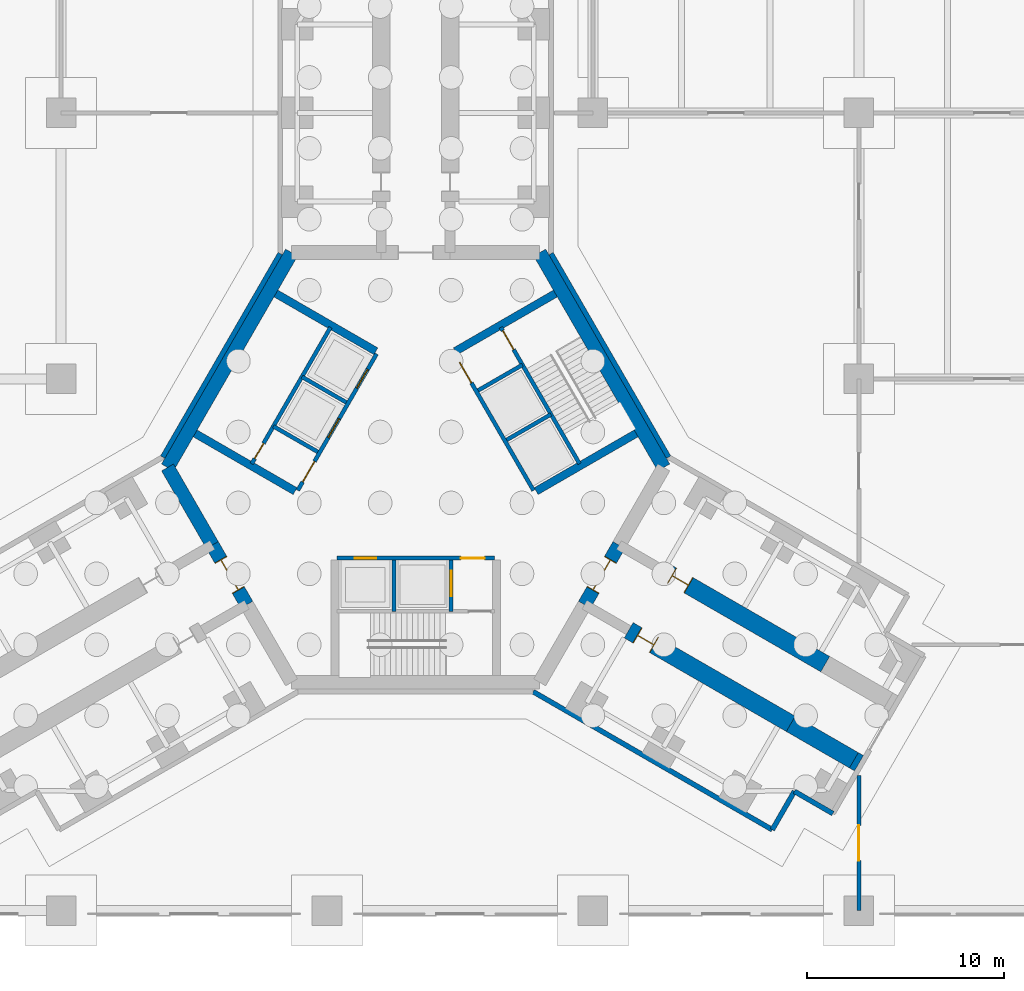
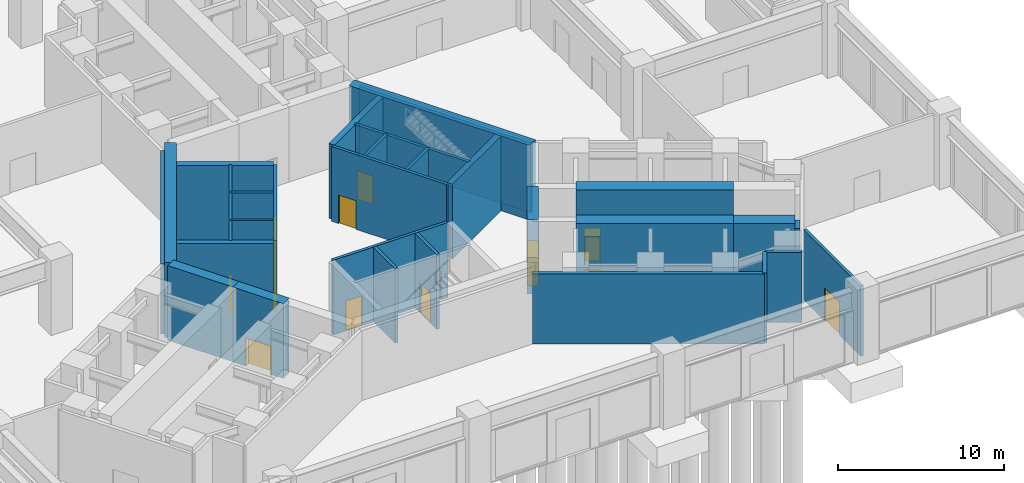
# One storey, part 10 of 18: 30 walls, 14 doors, 14 openings.
"""IFC4 building model written with IfcOpenShell, lengths in metres."""

from ifc_helpers import new_model, si_unit, direction, frame, frame_2d, origin, place, context, subcontext, project, spatial, rectangle, extrude, material, layer, layer_set, type_object, element, fill, save


model = new_model("IFC4")

# Units and contexts
model_context = context("Model", 3, precision=1e-05, world=origin(), true_north=direction((0.0, 1.0)))
body_context = subcontext(model_context, "Body", "Model", "MODEL_VIEW")
ifc_project = project(units=[si_unit("LENGTHUNIT", "METRE"), si_unit("AREAUNIT", "SQUARE_METRE"), si_unit("VOLUMEUNIT", "CUBIC_METRE"), si_unit("PLANEANGLEUNIT", "RADIAN"), si_unit("MASSUNIT", "GRAM", prefix="KILO")], contexts=[model_context])

# Site, building, storey
site_placement = place(None, origin())
site = spatial("IfcSite", under=ifc_project, at=site_placement, CompositionType="ELEMENT")
building_placement = place(site_placement, origin())
building = spatial("IfcBuilding", under=site, at=building_placement, Name="Upepo Twin Towers", CompositionType="ELEMENT")
storey_placement = place(building_placement, origin())
storey = spatial("IfcBuildingStorey", under=building, at=storey_placement, Name="L00", CompositionType="ELEMENT", Elevation=0.0)

# Wall
ifc_material_1 = material(Name="Dense concrete blockwork", Category="masonry")
ifc_layer_1 = layer(ifc_material_1, 0.89990234375)
ifc_layer_set_1 = layer_set([ifc_layer_1], Name="Buttress closer 900, blockwork with fire-stopping to the curtain wall")
wall_type_1 = type_object("IfcWallType", Name="Buttress closer 900, blockwork with fire-stopping to the curtain wall", PredefinedType="PARTITIONING", material=ifc_layer_set_1)
wall_1_placement = place(storey_placement, frame((80.747802734375, -32.865478515625, 0.0), z_axis=(0.0, 0.0, 1.0), x_axis=(0.865778900179, -0.500426713919, 0.0)))
element("IfcWall", 1, at=wall_1_placement, inside=storey, type_object=wall_type_1, Name="T2 L00 wing C buttress closer R", PredefinedType="PARTITIONING", context=body_context, shape_type="SweptSolid", body=[
    extrude(rectangle(XDim=0.300048828125, YDim=0.89990234375, at=frame_2d((0.14990234375, 0.0))), origin(), (0.0, 0.0, 1.0), 5.14990234375),
])

# Wall, opening, door
ifc_material_2 = material(Name="Concrete C60/75", Category="concrete")
ifc_layer_2 = layer(ifc_material_2, 0.89990234375)
ifc_layer_set_2 = layer_set([ifc_layer_2], Name="Concrete C60/75")
wall_type_2 = type_object("IfcWallType", Name="Buttress wall 900 RC", PredefinedType="SHEAR", material=ifc_layer_set_2)
wall_2_placement = place(storey_placement, frame((71.06640625, -23.234375, 0.0), z_axis=(0.0, 0.0, 1.0), x_axis=(0.86602681393, -0.499997557548, 0.0)))
wall_2 = element("IfcWall", 2, at=wall_2_placement, inside=storey, type_object=wall_type_2, Name="T2 wing C buttress wall L part 2", PredefinedType="SHEAR", context=body_context, shape_type="SweptSolid", body=[
    extrude(rectangle(XDim=9.5, YDim=0.89990234375, at=frame_2d((4.75, 0.0))), origin(), (0.0, 0.0, 1.0), 5.5),
])
opening_1_placement = place(wall_2_placement, frame((0.5, 0.0, 0.0)))
opening_1 = element("IfcOpeningElement", 3, at=opening_1_placement, cuts=wall_2, Name="Opening D1", PredefinedType="OPENING", context=body_context, shape_type="SweptSolid", body=[
    extrude(rectangle(XDim=1.0, YDim=2.10009765625, at=frame_2d((0.5, 1.050048828125))), frame((0.0, 0.4599609375, 0.0), z_axis=(0.0, -1.0, 0.0), x_axis=(1.0, 0.0, 0.0)), (0.0, 0.0, 1.0), 0.919921875),
])
ifc_material_3 = material(Name="Timber doorset", Category="wood")
door_type_1 = type_object("IfcDoorType", Name="Room door 1000 FD30", OperationType="SINGLE_SWING_LEFT", PredefinedType="DOOR", material=ifc_material_3)
door_1_placement = place(opening_1_placement, origin())
door_1 = element("IfcDoor", 4, at=door_1_placement, inside=storey, type_object=door_type_1, Name="T2 L00 student advice centre door", OperationType="SINGLE_SWING_LEFT", OverallHeight=2.10009765625, OverallWidth=1.0, PredefinedType="DOOR", context=body_context, shape_type="SweptSolid", body=[
    extrude(rectangle(XDim=0.92, YDim=2.06009765625, at=frame_2d((0.5, 1.030029296875))), frame((0.0, 0.02490234375, 0.0), z_axis=(0.0, -1.0, 0.0), x_axis=(1.0, 0.0, 0.0)), (0.0, 0.0, 1.0), 0.050048828125),
    extrude(rectangle(XDim=0.04, YDim=2.10009765625, at=frame_2d((0.02001953125, 1.050048828125))), frame((0.0, 0.44970703125, 0.0), z_axis=(0.0, -1.0, 0.0), x_axis=(1.0, 0.0, 0.0)), (0.0, 0.0, 1.0), 0.8994140625),
    extrude(rectangle(XDim=0.04, YDim=2.10009765625, at=frame_2d((0.97998046875, 1.050048828125))), frame((0.0, 0.44970703125, 0.0), z_axis=(0.0, -1.0, 0.0), x_axis=(1.0, 0.0, 0.0)), (0.0, 0.0, 1.0), 0.8994140625),
    extrude(rectangle(XDim=0.92, YDim=0.04, at=frame_2d((0.5, 2.080078125))), frame((0.0, 0.44970703125, 0.0), z_axis=(0.0, -1.0, 0.0), x_axis=(1.0, 0.0, 0.0)), (0.0, 0.0, 1.0), 0.8994140625),
])
fill(opening_1, door_1)

wall_3_placement = place(storey_placement, frame((69.31640625, -26.265625, 0.0), z_axis=(0.0, 0.0, 1.0), x_axis=(0.86602681393, -0.499997557548, 0.0)))
wall_3 = element("IfcWall", 5, at=wall_3_placement, inside=storey, type_object=wall_type_2, Name="T2 wing C buttress wall R part 2", PredefinedType="SHEAR", context=body_context, shape_type="SweptSolid", body=[
    extrude(rectangle(XDim=9.5, YDim=0.89990234375, at=frame_2d((4.75, 0.0))), origin(), (0.0, 0.0, 1.0), 5.5),
])
opening_2_placement = place(wall_3_placement, frame((0.5, 0.0, 0.0)))
opening_2 = element("IfcOpeningElement", 6, at=opening_2_placement, cuts=wall_3, Name="Opening D1", PredefinedType="OPENING", context=body_context, shape_type="SweptSolid", body=[
    extrude(rectangle(XDim=1.0, YDim=2.10009765625, at=frame_2d((0.5, 1.050048828125))), frame((0.0, 0.4599609375, 0.0), z_axis=(0.0, -1.0, 0.0), x_axis=(1.0, 0.0, 0.0)), (0.0, 0.0, 1.0), 0.919921875),
])
door_2_placement = place(opening_2_placement, origin())
door_2 = element("IfcDoor", 7, at=door_2_placement, inside=storey, type_object=door_type_1, Name="T2 L00 student advice centre door", OperationType="SINGLE_SWING_LEFT", OverallHeight=2.10009765625, OverallWidth=1.0, PredefinedType="DOOR", context=body_context, shape_type="SweptSolid", body=[
    extrude(rectangle(XDim=0.92, YDim=2.06009765625, at=frame_2d((0.5, 1.030029296875))), frame((0.0, 0.02490234375, 0.0), z_axis=(0.0, -1.0, 0.0), x_axis=(1.0, 0.0, 0.0)), (0.0, 0.0, 1.0), 0.050048828125),
    extrude(rectangle(XDim=0.04, YDim=2.10009765625, at=frame_2d((0.02001953125, 1.050048828125))), frame((0.0, 0.44970703125, 0.0), z_axis=(0.0, -1.0, 0.0), x_axis=(1.0, 0.0, 0.0)), (0.0, 0.0, 1.0), 0.8994140625),
    extrude(rectangle(XDim=0.04, YDim=2.10009765625, at=frame_2d((0.97998046875, 1.050048828125))), frame((0.0, 0.44970703125, 0.0), z_axis=(0.0, -1.0, 0.0), x_axis=(1.0, 0.0, 0.0)), (0.0, 0.0, 1.0), 0.8994140625),
    extrude(rectangle(XDim=0.92, YDim=0.04, at=frame_2d((0.5, 2.080078125))), frame((0.0, 0.44970703125, 0.0), z_axis=(0.0, -1.0, 0.0), x_axis=(1.0, 0.0, 0.0)), (0.0, 0.0, 1.0), 0.8994140625),
])
fill(opening_2, door_2)

# Walls
wall_4_placement = place(storey_placement, frame((77.543701171875, -31.015625, 0.0), z_axis=(0.0, 0.0, 1.0), x_axis=(0.866029545028, -0.499992827086, 0.0)))
element("IfcWall", 8, at=wall_4_placement, inside=storey, type_object=wall_type_2, Name="T2 wing C buttress wall R part 3", PredefinedType="SHEAR", context=body_context, shape_type="SweptSolid", body=[
    extrude(rectangle(XDim=3.69970703125, YDim=0.89990234375, at=frame_2d((1.849853515625, 0.0))), origin(), (0.0, 0.0, 1.0), 5.5),
])
ifc_material_4 = material(Name="Concrete C60/75", Category="concrete")
ifc_layer_3 = layer(ifc_material_4, 0.699951171875)
ifc_layer_set_3 = layer_set([ifc_layer_3], Name="Concrete C60/75")
wall_type_3 = type_object("IfcWallType", Name="Core wall 700 RC", PredefinedType="SHEAR", material=ifc_layer_set_3)
wall_5_placement = place(storey_placement, frame((52.2021484375, -7.091552734375, 0.0), z_axis=(0.0, 0.0, 1.0), x_axis=(-0.500005998175, -0.866021940709, 0.0)))
element("IfcWall", 9, at=wall_5_placement, inside=storey, type_object=wall_type_3, Name="T2 core wall 060", PredefinedType="SHEAR", context=body_context, shape_type="SweptSolid", body=[
    extrude(rectangle(XDim=12.595947265625, YDim=0.699951171875, at=frame_2d((6.2978515625, 0.0))), origin(), (0.0, 0.0, 1.0), 5.5),
])
wall_6_placement = place(storey_placement, frame((45.904052734375, -18.0, 0.0), z_axis=(0.0, 0.0, 1.0), x_axis=(0.500024481964, -0.866011268655, 0.0)))
element("IfcWall", 10, at=wall_6_placement, inside=storey, type_object=wall_type_3, Name="T2 core wall 120 R", PredefinedType="SHEAR", context=body_context, shape_type="SweptSolid", body=[
    extrude(rectangle(XDim=4.548095703125, YDim=0.699951171875, at=frame_2d((2.27392578125, 0.0))), origin(), (0.0, 0.0, 1.0), 5.5),
])

# Wall, opening, door
wall_7_placement = place(storey_placement, frame((48.17822265625, -21.938720703125, 0.0), z_axis=(0.0, 0.0, 1.0), x_axis=(0.500010275428, -0.866019471182, 0.0)))
wall_7 = element("IfcWall", 11, at=wall_7_placement, inside=storey, type_object=wall_type_3, Name="T2 core wall 120", PredefinedType="SHEAR", context=body_context, shape_type="SweptSolid", body=[
    extrude(rectangle(XDim=3.5, YDim=0.699951171875, at=frame_2d((1.75, 0.0))), origin(), (0.0, 0.0, 1.0), 5.5),
])
opening_3_placement = place(wall_7_placement, frame((0.85009765625, 0.0, 0.0)))
opening_3 = element("IfcOpeningElement", 12, at=opening_3_placement, cuts=wall_7, Name="Opening D2", PredefinedType="OPENING", context=body_context, shape_type="SweptSolid", body=[
    extrude(rectangle(XDim=1.800048828125, YDim=2.10009765625, at=frame_2d((0.89990234375, 1.050048828125))), frame((0.0, 0.35986328125, 0.0), z_axis=(0.0, -1.0, 0.0), x_axis=(1.0, 0.0, 0.0)), (0.0, 0.0, 1.0), 0.719970703125),
])
ifc_material_5 = material(Name="Timber doorset", Category="wood")
door_type_2 = type_object("IfcDoorType", Name="Corridor double door 1800 FD60", OperationType="DOUBLE_DOOR_DOUBLE_SWING", PredefinedType="DOOR", material=ifc_material_5)
door_3_placement = place(opening_3_placement, origin())
door_3 = element("IfcDoor", 13, at=door_3_placement, inside=storey, type_object=door_type_2, Name="T2 L00 wing B corridor door", OperationType="DOUBLE_DOOR_DOUBLE_SWING", OverallHeight=2.10009765625, OverallWidth=1.800048828125, PredefinedType="DOOR", context=body_context, shape_type="SweptSolid", body=[
    extrude(rectangle(XDim=1.720048828125, YDim=2.06009765625, at=frame_2d((0.89990234375, 1.030029296875))), frame((0.0, 0.02490234375, 0.0), z_axis=(0.0, -1.0, 0.0), x_axis=(1.0, 0.0, 0.0)), (0.0, 0.0, 1.0), 0.050048828125),
    extrude(rectangle(XDim=0.04, YDim=2.10009765625, at=frame_2d((0.02001953125, 1.050048828125))), frame((0.0, 0.349609375, 0.0), z_axis=(0.0, -1.0, 0.0), x_axis=(1.0, 0.0, 0.0)), (0.0, 0.0, 1.0), 0.699462890625),
    extrude(rectangle(XDim=0.04, YDim=2.10009765625, at=frame_2d((1.780029296875, 1.050048828125))), frame((0.0, 0.349609375, 0.0), z_axis=(0.0, -1.0, 0.0), x_axis=(1.0, 0.0, 0.0)), (0.0, 0.0, 1.0), 0.699462890625),
    extrude(rectangle(XDim=1.720048828125, YDim=0.04, at=frame_2d((0.89990234375, 2.080078125))), frame((0.0, 0.349609375, 0.0), z_axis=(0.0, -1.0, 0.0), x_axis=(1.0, 0.0, 0.0)), (0.0, 0.0, 1.0), 0.699462890625),
])
fill(opening_3, door_3)

wall_8_placement = place(storey_placement, frame((67.07177734375, -24.9697265625, 0.0), z_axis=(0.0, 0.0, 1.0), x_axis=(0.500010275428, 0.866019471182, 0.0)))
wall_8 = element("IfcWall", 14, at=wall_8_placement, inside=storey, type_object=wall_type_3, Name="T2 core wall 240", PredefinedType="SHEAR", context=body_context, shape_type="SweptSolid", body=[
    extrude(rectangle(XDim=3.5, YDim=0.699951171875, at=frame_2d((1.75, 0.0))), origin(), (0.0, 0.0, 1.0), 5.5),
])
opening_4_placement = place(wall_8_placement, frame((0.85009765625, 0.0, 0.0)))
opening_4 = element("IfcOpeningElement", 15, at=opening_4_placement, cuts=wall_8, Name="Opening D2", PredefinedType="OPENING", context=body_context, shape_type="SweptSolid", body=[
    extrude(rectangle(XDim=1.800048828125, YDim=2.10009765625, at=frame_2d((0.89990234375, 1.050048828125))), frame((0.0, 0.35986328125, 0.0), z_axis=(0.0, -1.0, 0.0), x_axis=(1.0, 0.0, 0.0)), (0.0, 0.0, 1.0), 0.719970703125),
])
door_4_placement = place(opening_4_placement, origin())
door_4 = element("IfcDoor", 16, at=door_4_placement, inside=storey, type_object=door_type_2, Name="T2 L00 wing C corridor door", OperationType="DOUBLE_DOOR_DOUBLE_SWING", OverallHeight=2.10009765625, OverallWidth=1.800048828125, PredefinedType="DOOR", context=body_context, shape_type="SweptSolid", body=[
    extrude(rectangle(XDim=1.720048828125, YDim=2.06009765625, at=frame_2d((0.89990234375, 1.030029296875))), frame((0.0, 0.02490234375, 0.0), z_axis=(0.0, -1.0, 0.0), x_axis=(1.0, 0.0, 0.0)), (0.0, 0.0, 1.0), 0.050048828125),
    extrude(rectangle(XDim=0.04, YDim=2.10009765625, at=frame_2d((0.02001953125, 1.050048828125))), frame((0.0, 0.349609375, 0.0), z_axis=(0.0, -1.0, 0.0), x_axis=(1.0, 0.0, 0.0)), (0.0, 0.0, 1.0), 0.699462890625),
    extrude(rectangle(XDim=0.04, YDim=2.10009765625, at=frame_2d((1.780029296875, 1.050048828125))), frame((0.0, 0.349609375, 0.0), z_axis=(0.0, -1.0, 0.0), x_axis=(1.0, 0.0, 0.0)), (0.0, 0.0, 1.0), 0.699462890625),
    extrude(rectangle(XDim=1.720048828125, YDim=0.04, at=frame_2d((0.89990234375, 2.080078125))), frame((0.0, 0.349609375, 0.0), z_axis=(0.0, -1.0, 0.0), x_axis=(1.0, 0.0, 0.0)), (0.0, 0.0, 1.0), 0.699462890625),
])
fill(opening_4, door_4)

# Wall
wall_9_placement = place(storey_placement, frame((71.095947265625, -18.0, 0.0), z_axis=(0.0, 0.0, 1.0), x_axis=(-0.500005998175, 0.866021940709, 0.0)))
element("IfcWall", 17, at=wall_9_placement, inside=storey, type_object=wall_type_3, Name="T2 core wall 300", PredefinedType="SHEAR", context=body_context, shape_type="SweptSolid", body=[
    extrude(rectangle(XDim=12.595947265625, YDim=0.699951171875, at=frame_2d((6.2978515625, 0.0))), origin(), (0.0, 0.0, 1.0), 5.5),
])

# Wall, opening, door
ifc_material_6 = material(Name="Concrete blockwork", Category="masonry")
ifc_layer_4 = layer(ifc_material_6, 0.199951171875)
ifc_layer_set_4 = layer_set([ifc_layer_4], Name="Podium partition 200 blockwork")
wall_type_4 = type_object("IfcWallType", Name="Podium partition 200 blockwork", PredefinedType="PARTITIONING", material=ifc_layer_set_4)
wall_10_placement = place(storey_placement, frame((81.0, -40.5, 0.0), z_axis=(0.0, 0.0, 1.0), x_axis=(0.0, 1.0, 0.0)))
wall_10 = element("IfcWall", 18, at=wall_10_placement, inside=storey, type_object=wall_type_4, Name="L00 podium wall X80", PredefinedType="PARTITIONING", context=body_context, shape_type="SweptSolid", body=[
    extrude(rectangle(XDim=6.87109375, YDim=0.199951171875, at=frame_2d((3.435546875, 0.0))), origin(), (0.0, 0.0, 1.0), 5.14990234375),
])
opening_5_placement = place(wall_10_placement, frame((2.53564453125, 0.0, 0.0)))
opening_5 = element("IfcOpeningElement", 19, at=opening_5_placement, cuts=wall_10, Name="Opening D10", PredefinedType="OPENING", context=body_context, shape_type="SweptSolid", body=[
    extrude(rectangle(XDim=1.800048828125, YDim=2.39990234375, at=frame_2d((0.89990234375, 1.199951171875))), frame((0.0, 0.10986328125, 0.0), z_axis=(0.0, -1.0, 0.0), x_axis=(1.0, 0.0, 0.0)), (0.0, 0.0, 1.0), 0.219970703125),
])
ifc_material_7 = material(Name="Timber doorset", Category="wood")
door_type_3 = type_object("IfcDoorType", Name="Podium double door 1800", OperationType="DOUBLE_DOOR_DOUBLE_SWING", PredefinedType="DOOR", material=ifc_material_7)
door_5_placement = place(opening_5_placement, origin())
door_5 = element("IfcDoor", 20, at=door_5_placement, inside=storey, type_object=door_type_3, Name="L00 students' union cafe-electrical substation door", OperationType="DOUBLE_DOOR_DOUBLE_SWING", OverallHeight=2.39990234375, OverallWidth=1.800048828125, PredefinedType="DOOR", context=body_context, shape_type="SweptSolid", body=[
    extrude(rectangle(XDim=1.800048828125, YDim=2.39990234375, at=frame_2d((0.89990234375, 1.199951171875))), frame((0.0, 0.02490234375, 0.0), z_axis=(0.0, -1.0, 0.0), x_axis=(1.0, 0.0, 0.0)), (0.0, 0.0, 1.0), 0.050048828125),
])
fill(opening_5, door_5)

# Wall, openings, doors
ifc_material_8 = material(Name="Concrete C40/50", Category="concrete")
ifc_layer_5 = layer(ifc_material_8, 0.199951171875)
ifc_layer_set_5 = layer_set([ifc_layer_5], Name="Concrete C40/50")
wall_type_5 = type_object("IfcWallType", Name="Shaft wall 200 RC", PredefinedType="SHEAR", material=ifc_layer_set_5)
wall_11_placement = place(storey_placement, frame((56.516357421875, -12.23583984375, 0.0), z_axis=(0.0, 0.0, 1.0), x_axis=(-0.49999894854, -0.866026010844, 0.0)))
wall_11 = element("IfcWall", 21, at=wall_11_placement, inside=storey, type_object=wall_type_5, Name="T2 core W60 front wall", PredefinedType="SHEAR", context=body_context, shape_type="SweptSolid", body=[
    extrude(rectangle(XDim=8.0, YDim=0.199951171875, at=frame_2d((4.0, 0.0))), origin(), (0.0, 0.0, 1.0), 5.5),
])
opening_6_placement = place(wall_11_placement, frame((6.300048828125, 0.0, 0.0)))
opening_6 = element("IfcOpeningElement", 22, at=opening_6_placement, cuts=wall_11, Name="Opening D4", PredefinedType="OPENING", context=body_context, shape_type="SweptSolid", body=[
    extrude(rectangle(XDim=1.199951171875, YDim=2.10009765625, at=frame_2d((0.60009765625, 1.050048828125))), frame((0.0, 0.10986328125, 0.0), z_axis=(0.0, -1.0, 0.0), x_axis=(1.0, 0.0, 0.0)), (0.0, 0.0, 1.0), 0.219970703125),
])
opening_7_placement = place(wall_11_placement, frame((0.89990234375, 0.0, 0.0)))
opening_7 = element("IfcOpeningElement", 23, at=opening_7_placement, cuts=wall_11, Name="Opening LD1", PredefinedType="OPENING", context=body_context, shape_type="SweptSolid", body=[
    extrude(rectangle(XDim=1.10009765625, YDim=2.199951171875, at=frame_2d((0.550048828125, 1.10009765625))), frame((0.0, 0.10986328125, 0.0), z_axis=(0.0, -1.0, 0.0), x_axis=(1.0, 0.0, 0.0)), (0.0, 0.0, 1.0), 0.219970703125),
])
opening_8_placement = place(wall_11_placement, frame((3.800048828125, 0.0, 0.0)))
opening_8 = element("IfcOpeningElement", 24, at=opening_8_placement, cuts=wall_11, Name="Opening LD1", PredefinedType="OPENING", context=body_context, shape_type="SweptSolid", body=[
    extrude(rectangle(XDim=1.10009765625, YDim=2.199951171875, at=frame_2d((0.550048828125, 1.10009765625))), frame((0.0, 0.10986328125, 0.0), z_axis=(0.0, -1.0, 0.0), x_axis=(1.0, 0.0, 0.0)), (0.0, 0.0, 1.0), 0.219970703125),
])
ifc_material_9 = material(Name="Steel doorset", Category="steel")
door_type_4 = type_object("IfcDoorType", Name="Lift landing door 1100", OperationType="DOUBLE_DOOR_SLIDING", PredefinedType="DOOR", material=ifc_material_9)
door_6_placement = place(opening_7_placement, origin())
door_6 = element("IfcDoor", 25, at=door_6_placement, inside=storey, type_object=door_type_4, Name="T2 L00 lift EX1 landing door", OperationType="DOUBLE_DOOR_SLIDING", OverallHeight=2.199951171875, OverallWidth=1.10009765625, PredefinedType="DOOR", context=body_context, shape_type="SweptSolid", body=[
    extrude(rectangle(XDim=1.10009765625, YDim=2.199951171875, at=frame_2d((0.550048828125, 1.10009765625))), frame((0.0, 0.02490234375, 0.0), z_axis=(0.0, -1.0, 0.0), x_axis=(1.0, 0.0, 0.0)), (0.0, 0.0, 1.0), 0.050048828125),
])
fill(opening_7, door_6)
door_7_placement = place(opening_8_placement, origin())
door_7 = element("IfcDoor", 26, at=door_7_placement, inside=storey, type_object=door_type_4, Name="T2 L00 lift EX2 landing door", OperationType="DOUBLE_DOOR_SLIDING", OverallHeight=2.199951171875, OverallWidth=1.10009765625, PredefinedType="DOOR", context=body_context, shape_type="SweptSolid", body=[
    extrude(rectangle(XDim=1.10009765625, YDim=2.199951171875, at=frame_2d((0.550048828125, 1.10009765625))), frame((0.0, 0.02490234375, 0.0), z_axis=(0.0, -1.0, 0.0), x_axis=(1.0, 0.0, 0.0)), (0.0, 0.0, 1.0), 0.050048828125),
])
fill(opening_8, door_7)
ifc_material_10 = material(Name="Timber doorset", Category="wood")
door_type_5 = type_object("IfcDoorType", Name="Lobby door 1200 FD60", OperationType="SINGLE_SWING_LEFT", PredefinedType="DOOR", material=ifc_material_10)
door_8_placement = place(opening_6_placement, origin())
door_8 = element("IfcDoor", 27, at=door_8_placement, inside=storey, type_object=door_type_5, Name="T2 L00 W60 lobby door", OperationType="SINGLE_SWING_RIGHT", OverallHeight=2.10009765625, OverallWidth=1.199951171875, PredefinedType="DOOR", context=body_context, shape_type="SweptSolid", body=[
    extrude(rectangle(XDim=1.199951171875, YDim=2.10009765625, at=frame_2d((0.60009765625, 1.050048828125))), frame((0.0, 0.02490234375, 0.0), z_axis=(0.0, -1.0, 0.0), x_axis=(1.0, 0.0, 0.0)), (0.0, 0.0, 1.0), 0.050048828125),
])
fill(opening_6, door_8)

# Walls
for number, where, z_axis, x_axis, name in (
    (28, (54.979736328125, -14.697265625, 0.0), (0.0, 0.0, 1.0), (-0.866062058628, 0.499936506574, 0.0), "T2 core W60 shaft divider"),
    (29, (53.52978515625, -17.208740234375, 0.0), (0.0, 0.0, 1.0), (-0.866062058628, 0.499936506574, 0.0), "T2 core W60 lobby wall"),
):
    element("IfcWall", number, at=place(storey_placement, frame(where, z_axis=z_axis, x_axis=x_axis)), inside=storey, type_object=wall_type_5, Name=name, PredefinedType="SHEAR", context=body_context, shape_type="SweptSolid", body=[
        extrude(rectangle(XDim=2.599853515625, YDim=0.199951171875, at=frame_2d((1.2998046875, 0.0))), origin(), (0.0, 0.0, 1.0), 5.5),
    ])

# Wall, opening, door
wall_12_placement = place(storey_placement, frame((54.177978515625, -10.885986328125, 0.0), z_axis=(0.0, 0.0, 1.0), x_axis=(-0.49999894854, -0.866026010844, 0.0)))
wall_12 = element("IfcWall", 30, at=wall_12_placement, inside=storey, type_object=wall_type_5, Name="T2 core W60 stair wall", PredefinedType="SHEAR", context=body_context, shape_type="SweptSolid", body=[
    extrude(rectangle(XDim=8.0, YDim=0.199951171875, at=frame_2d((4.0, 0.0))), origin(), (0.0, 0.0, 1.0), 5.5),
])
opening_9_placement = place(wall_12_placement, frame((6.800048828125, 0.0, 0.0)))
opening_9 = element("IfcOpeningElement", 31, at=opening_9_placement, cuts=wall_12, Name="Opening D9", PredefinedType="OPENING", context=body_context, shape_type="SweptSolid", body=[
    extrude(rectangle(XDim=0.89990234375, YDim=2.10009765625, at=frame_2d((0.449951171875, 1.050048828125))), frame((0.0, 0.10986328125, 0.0), z_axis=(0.0, -1.0, 0.0), x_axis=(1.0, 0.0, 0.0)), (0.0, 0.0, 1.0), 0.219970703125),
])
ifc_material_11 = material(Name="Timber doorset", Category="wood")
door_type_6 = type_object("IfcDoorType", Name="Riser door 900 FD60", OperationType="SINGLE_SWING_LEFT", PredefinedType="DOOR", material=ifc_material_11)
door_9_placement = place(opening_9_placement, origin())
door_9 = element("IfcDoor", 32, at=door_9_placement, inside=storey, type_object=door_type_6, Name="T2 L00 riser door", OperationType="SINGLE_SWING_RIGHT", OverallHeight=2.10009765625, OverallWidth=0.89990234375, PredefinedType="DOOR", context=body_context, shape_type="SweptSolid", body=[
    extrude(rectangle(XDim=0.89990234375, YDim=2.10009765625, at=frame_2d((0.449951171875, 1.050048828125))), frame((0.0, 0.02490234375, 0.0), z_axis=(0.0, -1.0, 0.0), x_axis=(1.0, 0.0, 0.0)), (0.0, 0.0, 1.0), 0.050048828125),
])
fill(opening_9, door_9)

# Wall, openings, doors
wall_13_placement = place(storey_placement, frame((54.5, -22.60009765625, 0.0), z_axis=(0.0, 0.0, 1.0), x_axis=(1.0, 0.0, 0.0)))
wall_13 = element("IfcWall", 33, at=wall_13_placement, inside=storey, type_object=wall_type_5, Name="T2 core W180 front wall", PredefinedType="SHEAR", context=body_context, shape_type="SweptSolid", body=[
    extrude(rectangle(XDim=8.0, YDim=0.199951171875, at=frame_2d((4.0, 0.0))), origin(), (0.0, 0.0, 1.0), 5.5),
])
opening_10_placement = place(wall_13_placement, frame((6.300048828125, 0.0, 0.0)))
opening_10 = element("IfcOpeningElement", 34, at=opening_10_placement, cuts=wall_13, Name="Opening D4", PredefinedType="OPENING", context=body_context, shape_type="SweptSolid", body=[
    extrude(rectangle(XDim=1.199951171875, YDim=2.10009765625, at=frame_2d((0.60009765625, 1.050048828125))), frame((0.0, 0.10986328125, 0.0), z_axis=(0.0, -1.0, 0.0), x_axis=(1.0, 0.0, 0.0)), (0.0, 0.0, 1.0), 0.219970703125),
])
opening_11_placement = place(wall_13_placement, frame((0.89990234375, 0.0, 0.0)))
opening_11 = element("IfcOpeningElement", 35, at=opening_11_placement, cuts=wall_13, Name="Opening LD1", PredefinedType="OPENING", context=body_context, shape_type="SweptSolid", body=[
    extrude(rectangle(XDim=1.10009765625, YDim=2.199951171875, at=frame_2d((0.550048828125, 1.10009765625))), frame((0.0, 0.10986328125, 0.0), z_axis=(0.0, -1.0, 0.0), x_axis=(1.0, 0.0, 0.0)), (0.0, 0.0, 1.0), 0.219970703125),
])
door_10_placement = place(opening_11_placement, origin())
door_10 = element("IfcDoor", 36, at=door_10_placement, inside=storey, type_object=door_type_4, Name="T2 L00 lift SV1 landing door", OperationType="DOUBLE_DOOR_SLIDING", OverallHeight=2.199951171875, OverallWidth=1.10009765625, PredefinedType="DOOR", context=body_context, shape_type="SweptSolid", body=[
    extrude(rectangle(XDim=1.10009765625, YDim=2.199951171875, at=frame_2d((0.550048828125, 1.10009765625))), frame((0.0, 0.02490234375, 0.0), z_axis=(0.0, -1.0, 0.0), x_axis=(1.0, 0.0, 0.0)), (0.0, 0.0, 1.0), 0.050048828125),
])
fill(opening_11, door_10)
door_11_placement = place(opening_10_placement, origin())
door_11 = element("IfcDoor", 37, at=door_11_placement, inside=storey, type_object=door_type_5, Name="T2 L00 W180 lobby door", OperationType="SINGLE_SWING_RIGHT", OverallHeight=2.10009765625, OverallWidth=1.199951171875, PredefinedType="DOOR", context=body_context, shape_type="SweptSolid", body=[
    extrude(rectangle(XDim=1.199951171875, YDim=2.10009765625, at=frame_2d((0.60009765625, 1.050048828125))), frame((0.0, 0.02490234375, 0.0), z_axis=(0.0, -1.0, 0.0), x_axis=(1.0, 0.0, 0.0)), (0.0, 0.0, 1.0), 0.050048828125),
])
fill(opening_10, door_11)

# Wall
wall_14_placement = place(storey_placement, frame((57.39990234375, -22.699951171875, 0.0), z_axis=(0.0, 0.0, 1.0), x_axis=(0.0, -1.0, 0.0)))
element("IfcWall", 38, at=wall_14_placement, inside=storey, type_object=wall_type_5, Name="T2 core W180 shaft divider", PredefinedType="SHEAR", context=body_context, shape_type="SweptSolid", body=[
    extrude(rectangle(XDim=2.60009765625, YDim=0.199951171875, at=frame_2d((1.300048828125, 0.0))), origin(), (0.0, 0.0, 1.0), 5.5),
])

# Wall, opening, door
wall_15_placement = place(storey_placement, frame((60.300048828125, -22.699951171875, 0.0), z_axis=(0.0, 0.0, 1.0), x_axis=(0.0, -1.0, 0.0)))
wall_15 = element("IfcWall", 39, at=wall_15_placement, inside=storey, type_object=wall_type_5, Name="T2 core W180 lobby wall", PredefinedType="SHEAR", context=body_context, shape_type="SweptSolid", body=[
    extrude(rectangle(XDim=2.60009765625, YDim=0.199951171875, at=frame_2d((1.300048828125, 0.0))), origin(), (0.0, 0.0, 1.0), 5.5),
])
opening_12_placement = place(wall_15_placement, frame((0.550048828125, 0.0, 0.0)))
opening_12 = element("IfcOpeningElement", 40, at=opening_12_placement, cuts=wall_15, Name="Opening LD2", PredefinedType="OPENING", context=body_context, shape_type="SweptSolid", body=[
    extrude(rectangle(XDim=1.300048828125, YDim=2.199951171875, at=frame_2d((0.64990234375, 1.10009765625))), frame((0.0, 0.10986328125, 0.0), z_axis=(0.0, -1.0, 0.0), x_axis=(1.0, 0.0, 0.0)), (0.0, 0.0, 1.0), 0.219970703125),
])
ifc_material_12 = material(Name="Steel doorset", Category="steel")
door_type_7 = type_object("IfcDoorType", Name="Firefighting lift landing door 1300", OperationType="DOUBLE_DOOR_SLIDING", PredefinedType="DOOR", material=ifc_material_12)
door_12_placement = place(opening_12_placement, origin())
door_12 = element("IfcDoor", 41, at=door_12_placement, inside=storey, type_object=door_type_7, Name="T2 L00 firefighting lift landing door", OperationType="DOUBLE_DOOR_SLIDING", OverallHeight=2.199951171875, OverallWidth=1.300048828125, PredefinedType="DOOR", context=body_context, shape_type="SweptSolid", body=[
    extrude(rectangle(XDim=1.300048828125, YDim=2.199951171875, at=frame_2d((0.64990234375, 1.10009765625))), frame((0.0, 0.02490234375, 0.0), z_axis=(0.0, -1.0, 0.0), x_axis=(1.0, 0.0, 0.0)), (0.0, 0.0, 1.0), 0.050048828125),
])
fill(opening_12, door_12)

wall_16_placement = place(storey_placement, frame((64.483642578125, -19.1640625, 0.0), z_axis=(0.0, 0.0, 1.0), x_axis=(-0.49999894854, 0.866026010844, 0.0)))
wall_16 = element("IfcWall", 42, at=wall_16_placement, inside=storey, type_object=wall_type_5, Name="T2 core W300 front wall", PredefinedType="SHEAR", context=body_context, shape_type="SweptSolid", body=[
    extrude(rectangle(XDim=8.0, YDim=0.199951171875, at=frame_2d((4.0, 0.0))), origin(), (0.0, 0.0, 1.0), 5.5),
])
opening_13_placement = place(wall_16_placement, frame((6.300048828125, 0.0, 0.0)))
opening_13 = element("IfcOpeningElement", 43, at=opening_13_placement, cuts=wall_16, Name="Opening D4", PredefinedType="OPENING", context=body_context, shape_type="SweptSolid", body=[
    extrude(rectangle(XDim=1.199951171875, YDim=2.10009765625, at=frame_2d((0.60009765625, 1.050048828125))), frame((0.0, 0.10986328125, 0.0), z_axis=(0.0, -1.0, 0.0), x_axis=(1.0, 0.0, 0.0)), (0.0, 0.0, 1.0), 0.219970703125),
])
door_13_placement = place(opening_13_placement, origin())
door_13 = element("IfcDoor", 44, at=door_13_placement, inside=storey, type_object=door_type_5, Name="T2 L00 W300 lobby door", OperationType="SINGLE_SWING_RIGHT", OverallHeight=2.10009765625, OverallWidth=1.199951171875, PredefinedType="DOOR", context=body_context, shape_type="SweptSolid", body=[
    extrude(rectangle(XDim=1.199951171875, YDim=2.10009765625, at=frame_2d((0.60009765625, 1.050048828125))), frame((0.0, 0.02490234375, 0.0), z_axis=(0.0, -1.0, 0.0), x_axis=(1.0, 0.0, 0.0)), (0.0, 0.0, 1.0), 0.050048828125),
])
fill(opening_13, door_13)

# Walls
wall_17_placement = place(storey_placement, frame((63.120361328125, -16.6025390625, 0.0), z_axis=(0.0, 0.0, 1.0), x_axis=(0.866062058628, 0.499936506574, 0.0)))
element("IfcWall", 45, at=wall_17_placement, inside=storey, type_object=wall_type_5, Name="T2 core W300 shaft divider", PredefinedType="SHEAR", context=body_context, shape_type="SweptSolid", body=[
    extrude(rectangle(XDim=2.599853515625, YDim=0.199951171875, at=frame_2d((1.2998046875, 0.0))), origin(), (0.0, 0.0, 1.0), 5.5),
])
wall_18_placement = place(storey_placement, frame((61.67041015625, -14.091064453125, 0.0), z_axis=(0.0, 0.0, 1.0), x_axis=(0.86603858612, 0.49997716683, 0.0)))
element("IfcWall", 46, at=wall_18_placement, inside=storey, type_object=wall_type_5, Name="T2 core W300 lobby wall", PredefinedType="SHEAR", context=body_context, shape_type="SweptSolid", body=[
    extrude(rectangle(XDim=2.599609375, YDim=0.199951171875, at=frame_2d((1.2998046875, 0.0))), origin(), (0.0, 0.0, 1.0), 5.5),
])

# Wall, opening, door
wall_19_placement = place(storey_placement, frame((66.822021484375, -17.814208984375, 0.0), z_axis=(0.0, 0.0, 1.0), x_axis=(-0.49999894854, 0.866026010844, 0.0)))
wall_19 = element("IfcWall", 47, at=wall_19_placement, inside=storey, type_object=wall_type_5, Name="T2 core W300 stair wall", PredefinedType="SHEAR", context=body_context, shape_type="SweptSolid", body=[
    extrude(rectangle(XDim=8.0, YDim=0.199951171875, at=frame_2d((4.0, 0.0))), origin(), (0.0, 0.0, 1.0), 5.5),
])
opening_14_placement = place(wall_19_placement, frame((6.699951171875, 0.0, 0.0)))
opening_14 = element("IfcOpeningElement", 48, at=opening_14_placement, cuts=wall_19, Name="Opening D3", PredefinedType="OPENING", context=body_context, shape_type="SweptSolid", body=[
    extrude(rectangle(XDim=1.10009765625, YDim=2.10009765625, at=frame_2d((0.550048828125, 1.050048828125))), frame((0.0, 0.10986328125, 0.0), z_axis=(0.0, -1.0, 0.0), x_axis=(1.0, 0.0, 0.0)), (0.0, 0.0, 1.0), 0.219970703125),
])
ifc_material_13 = material(Name="Timber doorset", Category="wood")
door_type_8 = type_object("IfcDoorType", Name="Stair door 1100 FD60", OperationType="SINGLE_SWING_LEFT", PredefinedType="DOOR", material=ifc_material_13)
door_14_placement = place(opening_14_placement, origin())
door_14 = element("IfcDoor", 49, at=door_14_placement, inside=storey, type_object=door_type_8, Name="T2 L00 stair door", OperationType="SINGLE_SWING_RIGHT", OverallHeight=2.10009765625, OverallWidth=1.10009765625, PredefinedType="DOOR", context=body_context, shape_type="SweptSolid", body=[
    extrude(rectangle(XDim=1.10009765625, YDim=2.10009765625, at=frame_2d((0.550048828125, 1.050048828125))), frame((0.0, 0.02490234375, 0.0), z_axis=(0.0, -1.0, 0.0), x_axis=(1.0, 0.0, 0.0)), (0.0, 0.0, 1.0), 0.050048828125),
])
fill(opening_14, door_14)

# Walls
ifc_material_14 = material(Name="Concrete C40/50", Category="concrete")
ifc_layer_6 = layer(ifc_material_14, 0.39990234375)
ifc_layer_set_6 = layer_set([ifc_layer_6], Name="Concrete C40/50")
wall_type_6 = type_object("IfcWallType", Name="Shaft wall 400 RC", PredefinedType="SHEAR", material=ifc_layer_set_6)
for number, where, z_axis, x_axis, name in (
    (50, (52.379638671875, -19.20068359375, 0.0), (0.0, 0.0, 1.0), (-0.866023886965, 0.500002627198, 0.0), "T2 core W60 side wall N"),
    (51, (56.479736328125, -12.099365234375, 0.0), (0.0, 0.0, 1.0), (-0.866023886965, 0.500002627198, 0.0), "T2 core W60 side wall S"),
    (52, (60.520263671875, -12.099365234375, 0.0), (0.0, 0.0, 1.0), (0.866023886965, 0.500002627198, 0.0), "T2 core W300 side wall N"),
    (53, (64.620361328125, -19.20068359375, 0.0), (0.0, 0.0, 1.0), (0.866023886965, 0.500002627198, 0.0), "T2 core W300 side wall S"),
):
    element("IfcWall", number, at=place(storey_placement, frame(where, z_axis=z_axis, x_axis=x_axis)), inside=storey, type_object=wall_type_6, Name=name, PredefinedType="SHEAR", context=body_context, shape_type="SweptSolid", body=[
        extrude(rectangle(XDim=5.8583984375, YDim=0.39990234375, at=frame_2d((2.92919921875, 0.0))), origin(), (0.0, 0.0, 1.0), 5.5),
    ])
ifc_material_15 = material(Name="Concrete blockwork", Category="masonry")
ifc_layer_7 = layer(ifc_material_15, 0.25)
ifc_layer_set_7 = layer_set([ifc_layer_7], Name="Tower enclosure wall 250 blockwork")
wall_type_7 = type_object("IfcWallType", Name="Tower enclosure wall 250 blockwork", PredefinedType="STANDARD", material=ifc_layer_set_7)
for number, where, z_axis, x_axis, name in (
    (54, (79.678466796875, -35.56787109375, 0.0), (0.0, 0.0, 1.0), (-0.866017533419, 0.500013631625, 0.0), "T2 L00 enclosure wall 3"),
    (55, (77.72998046875, -34.44287109375, 0.0), (0.0, 0.0, 1.0), (-0.500013631625, -0.866017533419, 0.0), "T2 L00 enclosure wall 4"),
):
    element("IfcWall", number, at=place(storey_placement, frame(where, z_axis=z_axis, x_axis=x_axis)), inside=storey, type_object=wall_type_7, Name=name, PredefinedType="STANDARD", context=body_context, shape_type="SweptSolid", body=[
        extrude(rectangle(XDim=2.25, YDim=0.25, at=frame_2d((1.125, 0.0))), origin(), (0.0, 0.0, 1.0), 5.14990234375),
    ])
wall_20_placement = place(storey_placement, frame((76.60498046875, -36.391357421875, 0.0), z_axis=(0.0, 0.0, 1.0), x_axis=(-0.866027500821, 0.499996367808, 0.0)))
element("IfcWall", 56, at=wall_20_placement, inside=storey, type_object=wall_type_7, Name="T2 L00 enclosure wall 5", PredefinedType="STANDARD", context=body_context, shape_type="SweptSolid", body=[
    extrude(rectangle(XDim=14.01611328125, YDim=0.25, at=frame_2d((7.008056640625, 0.0))), origin(), (0.0, 0.0, 1.0), 5.14990234375),
])
for number, where, z_axis, x_axis, name in (
    (57, (45.658447265625, -17.4755859375, 0.0), (0.0, 0.0, 1.0), (0.499996365031, 0.866027502425, 0.0), "T2 L00 enclosure wall 14"),
    (58, (65.375, -7.14111328125, 0.0), (0.0, 0.0, 1.0), (0.499996365031, -0.866027502425, 0.0), "T2 L00 enclosure wall 22"),
):
    element("IfcWall", number, at=place(storey_placement, frame(where, z_axis=z_axis, x_axis=x_axis)), inside=storey, type_object=wall_type_7, Name=name, PredefinedType="STANDARD", context=body_context, shape_type="SweptSolid", body=[
        extrude(rectangle(XDim=11.93310546875, YDim=0.25, at=frame_2d((5.966552734375, 0.0))), origin(), (0.0, 0.0, 1.0), 5.14990234375),
    ])

save(model, "model.ifc")
